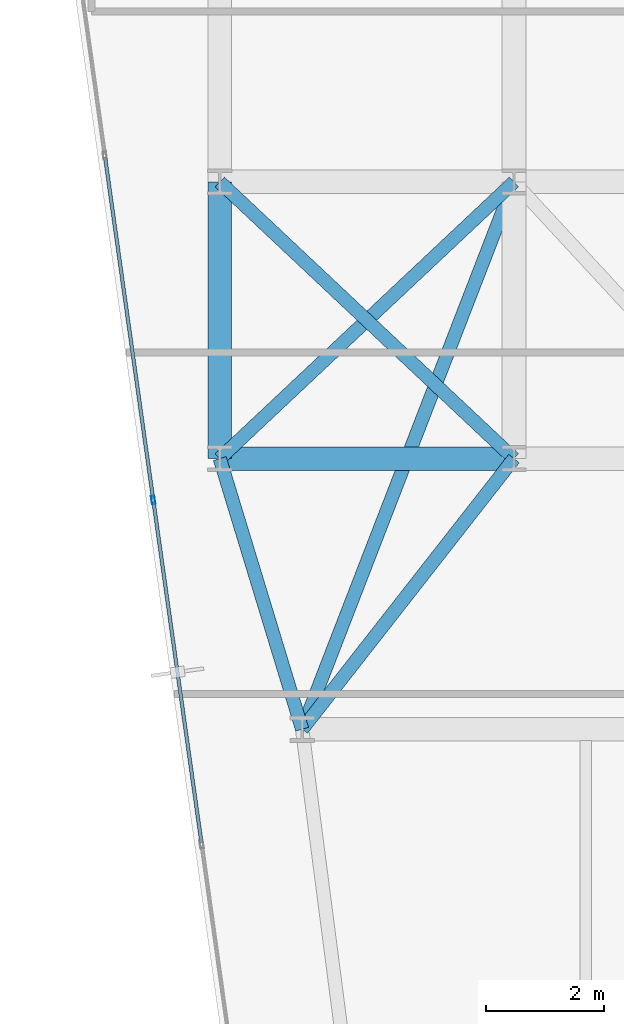
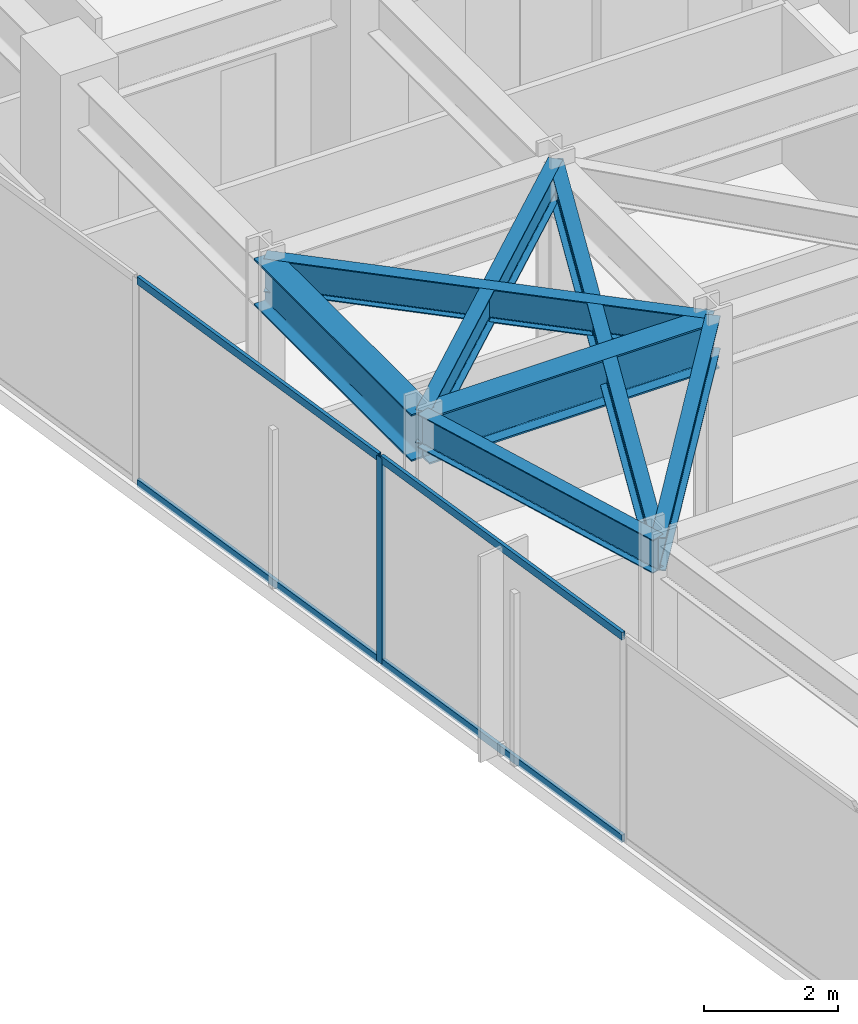
# One storey, part 9 of 26: 7 beams, 5 members, 1 element without a shape of its own.
"""IFC4 building model written with IfcOpenShell, lengths in metres."""

from ifc_helpers import new_model, si_unit, direction, frame, origin, origin_2d, place, context, subcontext, project, spatial, hollow_rectangle, i_section, extrude, material, layer, layer_set, material_profile, profile_set, type_object, element, aggregate, save


model = new_model("IFC4")

# Units and contexts
model_context = context("Model", 3, precision=1e-05, world=origin(), true_north=direction((0.0, 1.0)))
body_context = subcontext(model_context, "Body", "Model", "MODEL_VIEW")
ifc_project = project(units=[si_unit("LENGTHUNIT", "METRE"), si_unit("AREAUNIT", "SQUARE_METRE"), si_unit("VOLUMEUNIT", "CUBIC_METRE"), si_unit("PLANEANGLEUNIT", "RADIAN"), si_unit("MASSUNIT", "GRAM", prefix="KILO")], contexts=[model_context])

# Site, building, storey
site_placement = place(None, origin())
site = spatial("IfcSite", under=ifc_project, at=site_placement, CompositionType="ELEMENT")
building_placement = place(site_placement, origin())
building = spatial("IfcBuilding", under=site, at=building_placement, Name="Kravanh Interchange Tower", CompositionType="ELEMENT")
storey_placement = place(building_placement, frame((0.0, 0.0, 140.0)))
storey = spatial("IfcBuildingStorey", under=building, at=storey_placement, Name="L33", CompositionType="ELEMENT", Elevation=140.0)

# Curtain wall, members
ifc_material_1 = material(Name="Anodised Bronze Aluminium", Category="aluminium")
ifc_layer = layer(ifc_material_1, 0.179931640625)
ifc_layer_set = layer_set([ifc_layer], Name="Unitised Curtain Wall System CW-Z2 Mid Office")
curtain_wall_type = type_object("IfcCurtainWallType", Name="Unitised Curtain Wall System CW-Z2 Mid Office", PredefinedType="NOTDEFINED", material=ifc_layer_set)
curtain_wall_placement = place(storey_placement, origin())
curtain_wall = element("IfcCurtainWall", 1, at=curtain_wall_placement, inside=storey, type_object=curtain_wall_type, Name="L33 Unitised Curtain Wall CW-L33-01", PredefinedType="NOTDEFINED")
ifc_material_2 = material(Name="Anodised Bronze Aluminium", Category="aluminium")
ifc_material_profile_1 = material_profile(ifc_material_2, hollow_rectangle(XDim=0.06005859375, YDim=0.139892578125, WallThickness=0.00390625, at=origin_2d()), Name="ALU60X140X4")
ifc_profile_set_1 = profile_set([ifc_material_profile_1], Name="Anodised Bronze Aluminium")
member_type_1 = type_object("IfcMemberType", Name="Curtain Wall Mullion ALU60X140X4 Bronze", PredefinedType="MULLION", material=ifc_profile_set_1)
member_1_placement = place(storey_placement, frame((12.469970703125, 26.095458984375, 0.0), z_axis=(0.0, 0.0, 1.0), x_axis=(-0.990268103846, -0.13917285118, 0.0)))
member_1 = element("IfcMember", 2, at=member_1_placement, type_object=member_type_1, Name="CW-Z2 mullion 4", PredefinedType="MULLION", context=body_context, shape_type="SweptSolid", body=[
    extrude(hollow_rectangle(XDim=0.06005859375, YDim=0.139892578125, WallThickness=0.00390625, at=origin_2d()), origin(), (0.0, 0.0, 1.0), 3.75),
])
ifc_material_3 = material(Name="Anodised Bronze Aluminium", Category="aluminium")
ifc_material_profile_2 = material_profile(ifc_material_3, hollow_rectangle(XDim=0.06005859375, YDim=0.139892578125, WallThickness=0.00390625, at=origin_2d()), Name="ALU60X140X4")
ifc_profile_set_2 = profile_set([ifc_material_profile_2], Name="Anodised Bronze Aluminium")
member_type_2 = type_object("IfcMemberType", Name="Curtain Wall Transom ALU60X140X4 Bronze", PredefinedType="USERDEFINED", material=ifc_profile_set_2)
member_2_placement = place(storey_placement, frame((13.288330078125, 20.27294921875, 0.030029296875), z_axis=(-0.13918896503, 0.990265839062, 0.0), x_axis=(-0.990265839062, -0.13918896503, 0.0)))
member_2 = element("IfcMember", 3, at=member_2_placement, type_object=member_type_2, Name="CW-Z2 transom 3.1", ObjectType="TRANSOM", PredefinedType="USERDEFINED", context=body_context, shape_type="SweptSolid", body=[
    extrude(hollow_rectangle(XDim=0.06005859375, YDim=0.139892578125, WallThickness=0.00390625, at=origin_2d()), origin(), (0.0, 0.0, 1.0), 5.849609375),
])
member_3_placement = place(storey_placement, frame((13.288330078125, 20.27294921875, 3.719970703125), z_axis=(-0.13918896503, 0.990265839062, 0.0), x_axis=(-0.990265839062, -0.13918896503, 0.0)))
member_3 = element("IfcMember", 4, at=member_3_placement, type_object=member_type_2, Name="CW-Z2 transom 3.2", ObjectType="TRANSOM", PredefinedType="USERDEFINED", context=body_context, shape_type="SweptSolid", body=[
    extrude(hollow_rectangle(XDim=0.06005859375, YDim=0.139892578125, WallThickness=0.00390625, at=origin_2d()), origin(), (0.0, 0.0, 1.0), 5.849609375),
])
member_4_placement = place(storey_placement, frame((12.4658203125, 26.125244140625, 0.030029296875), z_axis=(-0.13918896503, 0.990265839062, 0.0), x_axis=(-0.990265839062, -0.13918896503, 0.0)))
member_4 = element("IfcMember", 5, at=member_4_placement, type_object=member_type_2, Name="CW-Z2 transom 4.1", ObjectType="TRANSOM", PredefinedType="USERDEFINED", context=body_context, shape_type="SweptSolid", body=[
    extrude(hollow_rectangle(XDim=0.06005859375, YDim=0.139892578125, WallThickness=0.00390625, at=origin_2d()), origin(), (0.0, 0.0, 1.0), 5.849609375),
])
member_5_placement = place(storey_placement, frame((12.4658203125, 26.125244140625, 3.719970703125), z_axis=(-0.13918896503, 0.990265839062, 0.0), x_axis=(-0.990265839062, -0.13918896503, 0.0)))
member_5 = element("IfcMember", 6, at=member_5_placement, type_object=member_type_2, Name="CW-Z2 transom 4.2", ObjectType="TRANSOM", PredefinedType="USERDEFINED", context=body_context, shape_type="SweptSolid", body=[
    extrude(hollow_rectangle(XDim=0.06005859375, YDim=0.139892578125, WallThickness=0.00390625, at=origin_2d()), origin(), (0.0, 0.0, 1.0), 5.849609375),
])
aggregate(curtain_wall, [member_1, member_2, member_3, member_4, member_5])

# Beams
ifc_material_4 = material(Name="Structural Steel S355", Category="steel")
ifc_material_profile_3 = material_profile(ifc_material_4, i_section(OverallWidth=0.39990234375, OverallDepth=0.85595703125, WebThickness=0.018310546875, FlangeThickness=0.029296875, FilletRadius=0.02490234375, at=origin_2d()), Name="W33X201")
ifc_profile_set_3 = profile_set([ifc_material_profile_3], Name="Structural Steel S355")
beam_type_1 = type_object("IfcBeamType", Name="Floor Beam W33X201 Structural Steel S355", PredefinedType="BEAM", material=ifc_profile_set_3)
beam_1_placement = place(storey_placement, frame((13.60009765625, 26.800048828125, 3.322021484375), z_axis=(0.0, 1.0, 0.0), x_axis=(-1.0, 0.0, 0.0)))
element("IfcBeam", 7, at=beam_1_placement, inside=storey, type_object=beam_type_1, Name="L33 Primary Floor Girder 37", PredefinedType="BEAM", context=body_context, shape_type="SweptSolid", body=[
    extrude(i_section(OverallWidth=0.39990234375, OverallDepth=0.85595703125, WebThickness=0.018310546875, FlangeThickness=0.029296875, FilletRadius=0.02490234375, at=origin_2d()), origin(), (0.0, 0.0, 1.0), 4.699951171875),
])
beam_2_placement = place(storey_placement, frame((13.60009765625, 26.800048828125, 3.322021484375), z_axis=(1.0, 0.0, 0.0), x_axis=(0.0, 1.0, 0.0)))
element("IfcBeam", 8, at=beam_2_placement, inside=storey, type_object=beam_type_1, Name="L33 Primary Floor Girder 39", PredefinedType="BEAM", context=body_context, shape_type="SweptSolid", body=[
    extrude(i_section(OverallWidth=0.39990234375, OverallDepth=0.85595703125, WebThickness=0.018310546875, FlangeThickness=0.029296875, FilletRadius=0.02490234375, at=origin_2d()), origin(), (0.0, 0.0, 1.0), 5.0),
])
ifc_material_5 = material(Name="Structural Steel S355", Category="steel")
ifc_material_profile_4 = material_profile(ifc_material_5, i_section(OverallWidth=0.22802734375, OverallDepth=0.60791015625, WebThickness=0.01123046875, FlangeThickness=0.017333984375, FilletRadius=0.02197265625, at=origin_2d()), Name="W24X76")
ifc_profile_set_4 = profile_set([ifc_material_profile_4], Name="Structural Steel S355")
beam_type_2 = type_object("IfcBeamType", Name="Floor Spandrel W24X76 Structural Steel S355", PredefinedType="SPANDREL", material=ifc_profile_set_4)
beam_3_placement = place(storey_placement, frame((13.60009765625, 26.800048828125, 3.446044921875), z_axis=(0.291137370727, -0.956681259023, 0.0), x_axis=(0.956681259023, 0.291137370727, 0.0)))
element("IfcBeam", 9, at=beam_3_placement, inside=storey, type_object=beam_type_2, Name="L33 Perimeter Spandrel 38", PredefinedType="SPANDREL", context=body_context, shape_type="SweptSolid", body=[
    extrude(i_section(OverallWidth=0.22802734375, OverallDepth=0.60791015625, WebThickness=0.01123046875, FlangeThickness=0.017333984375, FilletRadius=0.02197265625, at=origin_2d()), origin(), (0.0, 0.0, 1.0), 4.808349609375),
])
beam_4_placement = place(storey_placement, frame((13.60009765625, 26.800048828125, 3.446044921875), z_axis=(0.728631219862, 0.684906231131, 0.0), x_axis=(-0.684906231131, 0.728631219862, 0.0)))
element("IfcBeam", 10, at=beam_4_placement, inside=storey, type_object=beam_type_2, Name="L33 Perimeter Spandrel 40", PredefinedType="SPANDREL", context=body_context, shape_type="SweptSolid", body=[
    extrude(i_section(OverallWidth=0.22802734375, OverallDepth=0.60791015625, WebThickness=0.01123046875, FlangeThickness=0.017333984375, FilletRadius=0.02197265625, at=origin_2d()), origin(), (0.0, 0.0, 1.0), 6.862060546875),
])
beam_5_placement = place(storey_placement, frame((18.60009765625, 26.800048828125, 3.446044921875), z_axis=(-0.616310515553, -0.787503237085, 0.0), x_axis=(0.787503237085, -0.616310515553, 0.0)))
element("IfcBeam", 11, at=beam_5_placement, inside=storey, type_object=beam_type_2, Name="L33 Perimeter Spandrel 42", PredefinedType="SPANDREL", context=body_context, shape_type="SweptSolid", body=[
    extrude(i_section(OverallWidth=0.22802734375, OverallDepth=0.60791015625, WebThickness=0.01123046875, FlangeThickness=0.017333984375, FilletRadius=0.02197265625, at=origin_2d()), origin(), (0.0, 0.0, 1.0), 5.84130859375),
])
beam_6_placement = place(storey_placement, frame((18.60009765625, 26.800048828125, 3.446044921875), z_axis=(-0.728631219862, 0.684906231131, 0.0), x_axis=(-0.684906231131, -0.728631219862, 0.0)))
element("IfcBeam", 12, at=beam_6_placement, inside=storey, type_object=beam_type_2, Name="L33 Perimeter Spandrel 43", PredefinedType="SPANDREL", context=body_context, shape_type="SweptSolid", body=[
    extrude(i_section(OverallWidth=0.22802734375, OverallDepth=0.60791015625, WebThickness=0.01123046875, FlangeThickness=0.017333984375, FilletRadius=0.02197265625, at=origin_2d()), origin(), (0.0, 0.0, 1.0), 6.862060546875),
])
beam_7_placement = place(storey_placement, frame((18.60009765625, 31.5, 3.446044921875), z_axis=(-0.3610009706, -0.932565439648, 0.0), x_axis=(0.932565439648, -0.3610009706, 0.0)))
element("IfcBeam", 13, at=beam_7_placement, inside=storey, type_object=beam_type_2, Name="L33 Perimeter Spandrel 72", PredefinedType="SPANDREL", context=body_context, shape_type="SweptSolid", body=[
    extrude(i_section(OverallWidth=0.22802734375, OverallDepth=0.60791015625, WebThickness=0.01123046875, FlangeThickness=0.017333984375, FilletRadius=0.02197265625, at=origin_2d()), origin(), (0.0, 0.0, 1.0), 9.97265625),
])

save(model, "model.ifc")
